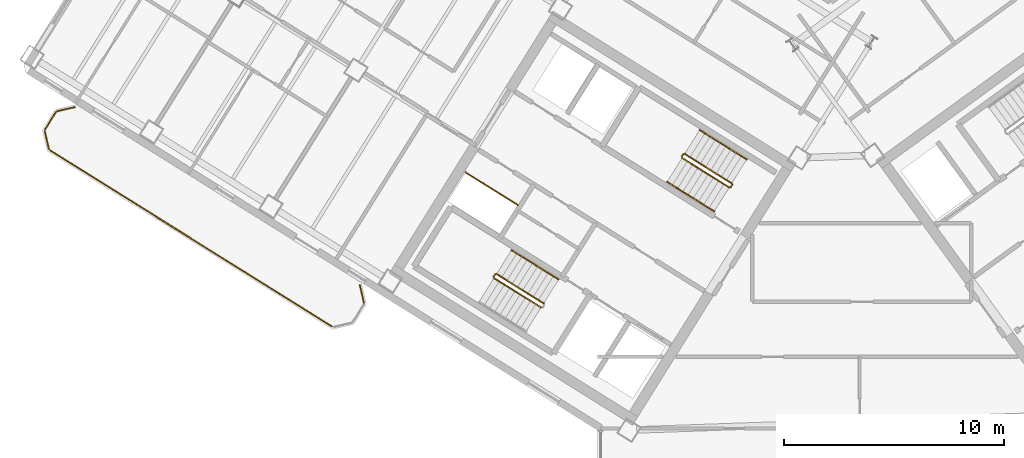
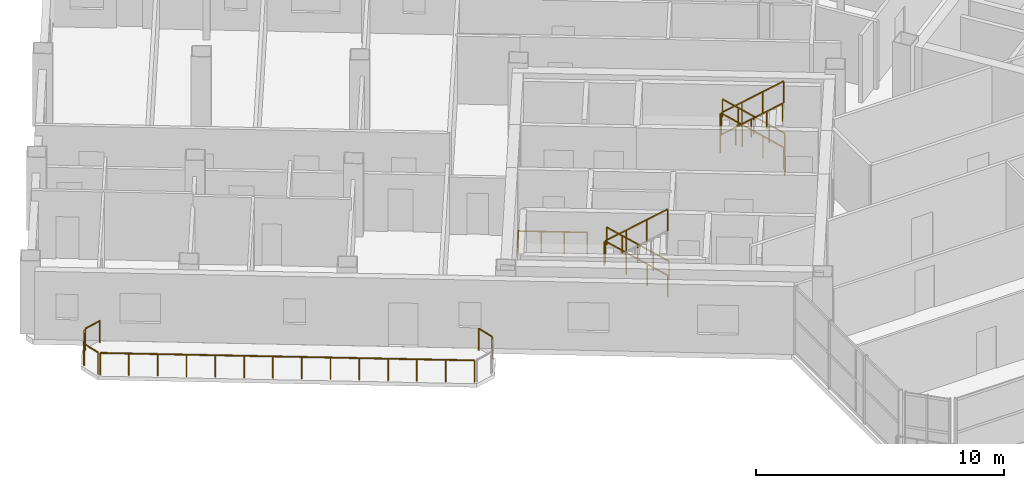
# One storey, part 18 of 20: 19 railings.
"""IFC4 building model written with IfcOpenShell, lengths in metres."""

from ifc_helpers import new_model, si_unit, direction, frame, origin, origin_2d, place, context, subcontext, project, spatial, rectangle, extrude, source, transform, mapped, material, type_object, element, save


model = new_model("IFC4")

# Units and contexts
model_context = context("Model", 3, precision=1e-05, world=origin(), true_north=direction((0.0, 1.0)))
body_context = subcontext(model_context, "Body", "Model", "MODEL_VIEW")
ifc_project = project(units=[si_unit("LENGTHUNIT", "METRE"), si_unit("AREAUNIT", "SQUARE_METRE"), si_unit("VOLUMEUNIT", "CUBIC_METRE"), si_unit("PLANEANGLEUNIT", "RADIAN"), si_unit("MASSUNIT", "GRAM", prefix="KILO")], contexts=[model_context])

# Site, building, storey
site_placement = place(None, origin())
site = spatial("IfcSite", under=ifc_project, at=site_placement, CompositionType="ELEMENT")
building_placement = place(site_placement, origin())
building = spatial("IfcBuilding", under=site, at=building_placement, Name="Tlacorven Tower", CompositionType="ELEMENT")
storey_placement = place(building_placement, frame((0.0, 0.0, 211.199951171875)))
storey = spatial("IfcBuildingStorey", under=building, at=storey_placement, Name="L53", CompositionType="ELEMENT", Elevation=211.199951171875)

# Railings
ifc_material = material(Name="Aluminium and painted steel balustrade", Category="steel")
railing_type_1 = type_object("IfcRailingType", Name="RL-GRD-1100", PredefinedType="GUARDRAIL", material=ifc_material)
shared_shape_1 = source(origin(), body_context, "Body", "SweptSolid", [
    extrude(rectangle(XDim=0.048095703125, YDim=0.048095703125, at=origin_2d()), frame((0.0, 0.0, 1.076171875), z_axis=(-0.848091358275, 0.529850024081, 0.0), x_axis=(-0.529850024081, -0.848091358275, 0.0)), (0.0, 0.0, 1.0), 2.800048828125),
    extrude(rectangle(XDim=0.0419921875, YDim=0.0419921875, at=origin_2d()), origin(), (0.0, 0.0, 1.0), 1.052001953125),
    extrude(rectangle(XDim=0.0419921875, YDim=0.0419921875, at=origin_2d()), frame((-0.79150390625, 0.49462890625, 0.0)), (0.0, 0.0, 1.0), 1.052001953125),
    extrude(rectangle(XDim=0.0419921875, YDim=0.0419921875, at=origin_2d()), frame((-1.583251953125, 0.989013671875, 0.0)), (0.0, 0.0, 1.0), 1.052001953125),
    extrude(rectangle(XDim=0.0419921875, YDim=0.0419921875, at=origin_2d()), frame((-2.374755859375, 1.483642578125, 0.0)), (0.0, 0.0, 1.0), 1.052001953125),
])
railing_1_placement = place(storey_placement, frame((27.9912109375, 22.32080078125, 0.0)))
element("IfcRailing", 1, at=railing_1_placement, inside=storey, type_object=railing_type_1, Name="L53 Electrical Riser W Shaft Guard 1", PredefinedType="GUARDRAIL", context=body_context, shape_type="MappedRepresentation", body=[
    mapped(shared_shape_1, transform((0.0, 0.0, 0.0), scale=1.0)),
])
railing_type_2 = type_object("IfcRailingType", Name="RL-BAL-1100", PredefinedType="BALUSTRADE", material=ifc_material)
shared_shape_2 = source(origin(), body_context, "Body", "SweptSolid", [
    extrude(rectangle(XDim=0.048095703125, YDim=0.048095703125, at=origin_2d()), frame((0.0, 0.0, 1.076171875), z_axis=(0.225058334816, -0.974345290916, 0.0), x_axis=(0.974345290916, 0.225058334816, 0.0)), (0.0, 0.0, 1.0), 0.80712890625),
    extrude(rectangle(XDim=0.0419921875, YDim=0.0419921875, at=origin_2d()), origin(), (0.0, 0.0, 1.0), 1.052001953125),
    extrude(rectangle(XDim=0.0419921875, YDim=0.0419921875, at=origin_2d()), frame((0.181640625, -0.786376953125, 0.0)), (0.0, 0.0, 1.0), 1.052001953125),
])
railing_2_placement = place(storey_placement, frame((20.809814453125, 18.671142578125, 0.0)))
element("IfcRailing", 2, at=railing_2_placement, inside=storey, type_object=railing_type_2, Name="BAL-L53-W-OUT Guard Railing 1", PredefinedType="BALUSTRADE", context=body_context, shape_type="MappedRepresentation", body=[
    mapped(shared_shape_2, transform((0.0, 0.0, 0.0), scale=1.0)),
])
shared_shape_3 = source(origin(), body_context, "Body", "SweptSolid", [
    extrude(rectangle(XDim=0.048095703125, YDim=0.048095703125, at=origin_2d()), frame((0.0, 0.0, 1.076171875), z_axis=(-0.225058334816, 0.974345290916, 0.0), x_axis=(-0.974345290916, -0.225058334816, 0.0)), (0.0, 0.0, 1.0), 0.80712890625),
    extrude(rectangle(XDim=0.0419921875, YDim=0.0419921875, at=origin_2d()), origin(), (0.0, 0.0, 1.0), 1.052001953125),
    extrude(rectangle(XDim=0.0419921875, YDim=0.0419921875, at=origin_2d()), frame((-0.181640625, 0.786376953125, 0.0)), (0.0, 0.0, 1.0), 1.052001953125),
])
railing_3_placement = place(storey_placement, frame((6.66650390625, 24.88623046875, 0.0)))
element("IfcRailing", 3, at=railing_3_placement, inside=storey, type_object=railing_type_2, Name="BAL-L53-W-OUT Guard Railing 5", PredefinedType="BALUSTRADE", context=body_context, shape_type="MappedRepresentation", body=[
    mapped(shared_shape_3, transform((0.0, 0.0, 0.0), scale=1.0)),
])
shared_shape_4 = source(origin(), body_context, "Body", "SweptSolid", [
    extrude(rectangle(XDim=0.048095703125, YDim=0.048095703125, at=origin_2d()), frame((0.0, 0.0, 1.076171875), z_axis=(0.974411586182, 0.224771129628, 0.0), x_axis=(-0.224771129628, 0.974411586182, 0.0)), (0.0, 0.0, 1.0), 0.80712890625),
    extrude(rectangle(XDim=0.0419921875, YDim=0.0419921875, at=origin_2d()), origin(), (0.0, 0.0, 1.0), 1.052001953125),
    extrude(rectangle(XDim=0.0419921875, YDim=0.0419921875, at=origin_2d()), frame((0.786376953125, 0.181396484375, 0.0)), (0.0, 0.0, 1.0), 1.052001953125),
])
railing_4_placement = place(storey_placement, frame((7.05859375, 26.591064453125, 0.0)))
element("IfcRailing", 4, at=railing_4_placement, inside=storey, type_object=railing_type_2, Name="BAL-L53-W-OUT Guard Railing 7", PredefinedType="BALUSTRADE", context=body_context, shape_type="MappedRepresentation", body=[
    mapped(shared_shape_4, transform((0.0, 0.0, 0.0), scale=1.0)),
])
shared_shape_5 = source(origin(), body_context, "Body", "SweptSolid", [
    extrude(rectangle(XDim=0.048095703125, YDim=0.048095703125, at=origin_2d()), frame((0.0, 0.0, 1.076171875), z_axis=(0.529998940003, 0.847998304005, 0.0), x_axis=(-0.847998304005, 0.529998940003, 0.0)), (0.0, 0.0, 1.0), 0.912109375),
    extrude(rectangle(XDim=0.0419921875, YDim=0.0419921875, at=origin_2d()), origin(), (0.0, 0.0, 1.0), 1.052001953125),
    extrude(rectangle(XDim=0.0419921875, YDim=0.0419921875, at=origin_2d()), frame((0.4833984375, 0.7734375, 0.0)), (0.0, 0.0, 1.0), 1.052001953125),
])
railing_5_placement = place(storey_placement, frame((6.5, 25.763916015625, 0.0)))
element("IfcRailing", 5, at=railing_5_placement, inside=storey, type_object=railing_type_2, Name="BAL-L53-W-OUT Guard Railing 6", PredefinedType="BALUSTRADE", context=body_context, shape_type="MappedRepresentation", body=[
    mapped(shared_shape_5, transform((0.0, 0.0, 0.0), scale=1.0)),
])
shared_shape_6 = source(origin(), body_context, "Body", "SweptSolid", [
    extrude(rectangle(XDim=0.048095703125, YDim=0.048095703125, at=origin_2d()), frame((0.0, 0.0, 1.076171875), z_axis=(-0.848051830527, 0.529913287944, 0.0), x_axis=(-0.529913287944, -0.848051830527, 0.0)), (0.0, 0.0, 1.0), 15.1171875),
    extrude(rectangle(XDim=0.0419921875, YDim=0.0419921875, at=origin_2d()), origin(), (0.0, 0.0, 1.0), 1.052001953125),
    extrude(rectangle(XDim=0.0419921875, YDim=0.0419921875, at=origin_2d()), frame((-0.986083984375, 0.6162109375, 0.0)), (0.0, 0.0, 1.0), 1.052001953125),
    extrude(rectangle(XDim=0.0419921875, YDim=0.0419921875, at=origin_2d()), frame((-1.972412109375, 1.232421875, 0.0)), (0.0, 0.0, 1.0), 1.052001953125),
    extrude(rectangle(XDim=0.0419921875, YDim=0.0419921875, at=origin_2d()), frame((-2.95849609375, 1.8486328125, 0.0)), (0.0, 0.0, 1.0), 1.052001953125),
    extrude(rectangle(XDim=0.0419921875, YDim=0.0419921875, at=origin_2d()), frame((-3.944580078125, 2.46484375, 0.0)), (0.0, 0.0, 1.0), 1.052001953125),
    extrude(rectangle(XDim=0.0419921875, YDim=0.0419921875, at=origin_2d()), frame((-4.930908203125, 3.0810546875, 0.0)), (0.0, 0.0, 1.0), 1.052001953125),
    extrude(rectangle(XDim=0.0419921875, YDim=0.0419921875, at=origin_2d()), frame((-5.9169921875, 3.697265625, 0.0)), (0.0, 0.0, 1.0), 1.052001953125),
    extrude(rectangle(XDim=0.0419921875, YDim=0.0419921875, at=origin_2d()), frame((-6.903076171875, 4.3134765625, 0.0)), (0.0, 0.0, 1.0), 1.052001953125),
    extrude(rectangle(XDim=0.0419921875, YDim=0.0419921875, at=origin_2d()), frame((-7.88916015625, 4.9296875, 0.0)), (0.0, 0.0, 1.0), 1.052001953125),
    extrude(rectangle(XDim=0.0419921875, YDim=0.0419921875, at=origin_2d()), frame((-8.87548828125, 5.5458984375, 0.0)), (0.0, 0.0, 1.0), 1.052001953125),
    extrude(rectangle(XDim=0.0419921875, YDim=0.0419921875, at=origin_2d()), frame((-9.861572265625, 6.162109375, 0.0)), (0.0, 0.0, 1.0), 1.052001953125),
    extrude(rectangle(XDim=0.0419921875, YDim=0.0419921875, at=origin_2d()), frame((-10.84765625, 6.7783203125, 0.0)), (0.0, 0.0, 1.0), 1.052001953125),
    extrude(rectangle(XDim=0.0419921875, YDim=0.0419921875, at=origin_2d()), frame((-11.833984375, 7.39453125, 0.0)), (0.0, 0.0, 1.0), 1.052001953125),
    extrude(rectangle(XDim=0.0419921875, YDim=0.0419921875, at=origin_2d()), frame((-12.820068359375, 8.0107421875, 0.0)), (0.0, 0.0, 1.0), 1.052001953125),
])
railing_6_placement = place(storey_placement, frame((19.5400390625, 16.80029296875, 0.0)))
element("IfcRailing", 6, at=railing_6_placement, inside=storey, type_object=railing_type_2, Name="BAL-L53-W-OUT Guard Railing 4", PredefinedType="BALUSTRADE", context=body_context, shape_type="MappedRepresentation", body=[
    mapped(shared_shape_6, transform((0.0, 0.0, 0.0), scale=1.0)),
])
shared_shape_7 = source(origin(), body_context, "Body", "SweptSolid", [
    extrude(rectangle(XDim=0.048095703125, YDim=0.048095703125, at=origin_2d()), frame((0.0, 0.0, 1.076171875), z_axis=(-0.713319727316, 0.445773895627, 0.540796265334), x_axis=(-0.529955395941, -0.84802551749, 0.0)), (0.0, 0.0, 1.0), 2.995849609375),
    extrude(rectangle(XDim=0.0419921875, YDim=0.0419921875, at=origin_2d()), origin(), (0.0, 0.0, 1.0), 1.052001953125),
    extrude(rectangle(XDim=0.0419921875, YDim=0.0419921875, at=origin_2d()), frame((-0.71240234375, 0.445068359375, 0.5400390625)), (0.0, 0.0, 1.0), 1.052001953125),
    extrude(rectangle(XDim=0.0419921875, YDim=0.0419921875, at=origin_2d()), frame((-1.424560546875, 0.890380859375, 1.080078125)), (0.0, 0.0, 1.0), 1.052001953125),
    extrude(rectangle(XDim=0.0419921875, YDim=0.0419921875, at=origin_2d()), frame((-2.136962890625, 1.33544921875, 1.6201171875)), (0.0, 0.0, 1.0), 1.052001953125),
])
for number, where, name in (
    (7, (29.16064453125, 17.851806640625, 0.179931640625), "L53 ST-W1 stair guard 1"),
    (8, (37.712158203125, 23.3095703125, 0.179931640625), "L53 ST-W2 stair guard 1"),
):
    element("IfcRailing", number, at=place(storey_placement, frame(where)), inside=storey, type_object=railing_type_1, Name=name, PredefinedType="GUARDRAIL", context=body_context, shape_type="MappedRepresentation", body=[
        mapped(shared_shape_7, transform((0.0, 0.0, 0.0), scale=1.0)),
    ])
shared_shape_8 = source(origin(), body_context, "Body", "SweptSolid", [
    extrude(rectangle(XDim=0.048095703125, YDim=0.048095703125, at=origin_2d()), frame((0.0, 0.0, 1.076171875), z_axis=(-0.530546985787, -0.847655529016, 0.0), x_axis=(0.847655529016, -0.530546985787, 0.0)), (0.0, 0.0, 1.0), 0.1201171875),
    extrude(rectangle(XDim=0.0419921875, YDim=0.0419921875, at=origin_2d()), origin(), (0.0, 0.0, 1.0), 1.052001953125),
    extrude(rectangle(XDim=0.0419921875, YDim=0.0419921875, at=origin_2d()), frame((-0.063720703125, -0.101806640625, 0.0)), (0.0, 0.0, 1.0), 1.052001953125),
])
for number, where, name in (
    (9, (26.954833984375, 19.17138671875, 1.800048828125), "L53 ST-W1 stair guard 2"),
    (10, (37.728271484375, 23.24072265625, 0.0), "L53 ST-W2 stair guard 4"),
):
    element("IfcRailing", number, at=place(storey_placement, frame(where)), inside=storey, type_object=railing_type_1, Name=name, PredefinedType="GUARDRAIL", context=body_context, shape_type="MappedRepresentation", body=[
        mapped(shared_shape_8, transform((0.0, 0.0, 0.0), scale=1.0)),
    ])
shared_shape_9 = source(origin(), body_context, "Body", "SweptSolid", [
    extrude(rectangle(XDim=0.048095703125, YDim=0.048095703125, at=origin_2d()), frame((0.0, 0.0, 1.076171875), z_axis=(0.713359751793, -0.4457479829, 0.540764828981), x_axis=(0.529911857636, 0.848052724267, 0.0)), (0.0, 0.0, 1.0), 2.99609375),
    extrude(rectangle(XDim=0.0419921875, YDim=0.0419921875, at=origin_2d()), origin(), (0.0, 0.0, 1.0), 1.052001953125),
    extrude(rectangle(XDim=0.0419921875, YDim=0.0419921875, at=origin_2d()), frame((0.71240234375, -0.445068359375, 0.5400390625)), (0.0, 0.0, 1.0), 1.052001953125),
    extrude(rectangle(XDim=0.0419921875, YDim=0.0419921875, at=origin_2d()), frame((1.4248046875, -0.890380859375, 1.080078125)), (0.0, 0.0, 1.0), 1.052001953125),
    extrude(rectangle(XDim=0.0419921875, YDim=0.0419921875, at=origin_2d()), frame((2.13720703125, -1.33544921875, 1.6201171875)), (0.0, 0.0, 1.0), 1.052001953125),
])
railing_7_placement = place(storey_placement, frame((26.906982421875, 19.000732421875, 1.97998046875)))
element("IfcRailing", 11, at=railing_7_placement, inside=storey, type_object=railing_type_1, Name="L53 ST-W1 stair guard 3", PredefinedType="GUARDRAIL", context=body_context, shape_type="MappedRepresentation", body=[
    mapped(shared_shape_9, transform((0.0, 0.0, 0.0), scale=1.0)),
])
railing_type_3 = type_object("IfcRailingType", Name="RL-HND-0900", PredefinedType="HANDRAIL", material=ifc_material)
shared_shape_10 = source(origin(), body_context, "Body", "SweptSolid", [
    extrude(rectangle(XDim=0.048095703125, YDim=0.048095703125, at=origin_2d()), frame((0.0, 0.0, 0.8759765625), z_axis=(-0.713359751793, 0.4457479829, 0.540764828981), x_axis=(-0.529911857636, -0.848052724267, 0.0)), (0.0, 0.0, 1.0), 1.498046875),
    extrude(rectangle(XDim=0.0419921875, YDim=0.0419921875, at=origin_2d()), origin(), (0.0, 0.0, 1.0), 0.851806640625),
    extrude(rectangle(XDim=0.0419921875, YDim=0.0419921875, at=origin_2d()), frame((-0.5341796875, 0.333984375, 0.405029296875)), (0.0, 0.0, 1.0), 0.851806640625),
    extrude(rectangle(XDim=0.0419921875, YDim=0.0419921875, at=origin_2d()), frame((-1.068603515625, 0.667724609375, 0.81005859375)), (0.0, 0.0, 1.0), 0.851806640625),
])
for number, where, name in (
    (12, (29.839111328125, 18.937255859375, 0.179931640625), "L53 ST-W1 stair handrail 1"),
    (13, (28.7705078125, 19.60498046875, 0.989990234375), "L53 ST-W1 stair handrail 2"),
    (14, (38.390625, 24.39501953125, 0.179931640625), "L53 ST-W2 stair handrail 1"),
    (15, (37.322021484375, 25.062744140625, 0.989990234375), "L53 ST-W2 stair handrail 2"),
):
    element("IfcRailing", number, at=place(storey_placement, frame(where)), inside=storey, type_object=railing_type_3, Name=name, PredefinedType="HANDRAIL", context=body_context, shape_type="MappedRepresentation", body=[
        mapped(shared_shape_10, transform((0.0, 0.0, 0.0), scale=1.0)),
    ])
shared_shape_11 = source(origin(), body_context, "Body", "SweptSolid", [
    extrude(rectangle(XDim=0.048095703125, YDim=0.048095703125, at=origin_2d()), frame((0.0, 0.0, 0.8759765625), z_axis=(0.713359751793, -0.4457479829, 0.540764828981), x_axis=(0.529911857636, 0.848052724267, 0.0)), (0.0, 0.0, 1.0), 1.498046875),
    extrude(rectangle(XDim=0.0419921875, YDim=0.0419921875, at=origin_2d()), origin(), (0.0, 0.0, 1.0), 0.851806640625),
    extrude(rectangle(XDim=0.0419921875, YDim=0.0419921875, at=origin_2d()), frame((0.5341796875, -0.333984375, 0.405029296875)), (0.0, 0.0, 1.0), 0.851806640625),
    extrude(rectangle(XDim=0.0419921875, YDim=0.0419921875, at=origin_2d()), frame((1.068603515625, -0.667724609375, 0.81005859375)), (0.0, 0.0, 1.0), 0.851806640625),
])
for number, where, name in (
    (16, (34.7802734375, 23.372802734375, 1.97998046875), "L53 ST-W2 stair handrail 3"),
    (17, (35.848876953125, 22.705078125, 2.7900390625), "L53 ST-W2 stair handrail 4"),
):
    element("IfcRailing", number, at=place(storey_placement, frame(where)), inside=storey, type_object=railing_type_3, Name=name, PredefinedType="HANDRAIL", context=body_context, shape_type="MappedRepresentation", body=[
        mapped(shared_shape_11, transform((0.0, 0.0, 0.0), scale=1.0)),
    ])
shared_shape_12 = source(origin(), body_context, "Body", "SweptSolid", [
    extrude(rectangle(XDim=0.048095703125, YDim=0.048095703125, at=origin_2d()), frame((0.0, 0.0, 1.076171875), z_axis=(-0.531462422766, -0.847081869236, 0.0), x_axis=(0.847081869236, -0.531462422766, 0.0)), (0.0, 0.0, 1.0), 0.119873046875),
    extrude(rectangle(XDim=0.0419921875, YDim=0.0419921875, at=origin_2d()), origin(), (0.0, 0.0, 1.0), 1.052001953125),
    extrude(rectangle(XDim=0.0419921875, YDim=0.0419921875, at=origin_2d()), frame((-0.063720703125, -0.1015625, 0.0)), (0.0, 0.0, 1.0), 1.052001953125),
])
railing_8_placement = place(storey_placement, frame((35.50634765625, 24.62890625, 1.800048828125)))
element("IfcRailing", 18, at=railing_8_placement, inside=storey, type_object=railing_type_1, Name="L53 ST-W2 stair guard 2", PredefinedType="GUARDRAIL", context=body_context, shape_type="MappedRepresentation", body=[
    mapped(shared_shape_12, transform((0.0, 0.0, 0.0), scale=1.0)),
])
shared_shape_13 = source(origin(), body_context, "Body", "SweptSolid", [
    extrude(rectangle(XDim=0.048095703125, YDim=0.048095703125, at=origin_2d()), frame((0.0, 0.0, 1.076171875), z_axis=(0.713385662783, -0.445682681033, 0.540784470897), x_axis=(0.52984217967, 0.848096259066, 0.0)), (0.0, 0.0, 1.0), 2.995849609375),
    extrude(rectangle(XDim=0.0419921875, YDim=0.0419921875, at=origin_2d()), origin(), (0.0, 0.0, 1.0), 1.052001953125),
    extrude(rectangle(XDim=0.0419921875, YDim=0.0419921875, at=origin_2d()), frame((0.71240234375, -0.445068359375, 0.5400390625)), (0.0, 0.0, 1.0), 1.052001953125),
    extrude(rectangle(XDim=0.0419921875, YDim=0.0419921875, at=origin_2d()), frame((1.4248046875, -0.89013671875, 1.080078125)), (0.0, 0.0, 1.0), 1.052001953125),
    extrude(rectangle(XDim=0.0419921875, YDim=0.0419921875, at=origin_2d()), frame((2.13720703125, -1.335205078125, 1.6201171875)), (0.0, 0.0, 1.0), 1.052001953125),
])
railing_9_placement = place(storey_placement, frame((35.45849609375, 24.458251953125, 1.97998046875)))
element("IfcRailing", 19, at=railing_9_placement, inside=storey, type_object=railing_type_1, Name="L53 ST-W2 stair guard 3", PredefinedType="GUARDRAIL", context=body_context, shape_type="MappedRepresentation", body=[
    mapped(shared_shape_13, transform((0.0, 0.0, 0.0), scale=1.0)),
])

save(model, "model.ifc")
